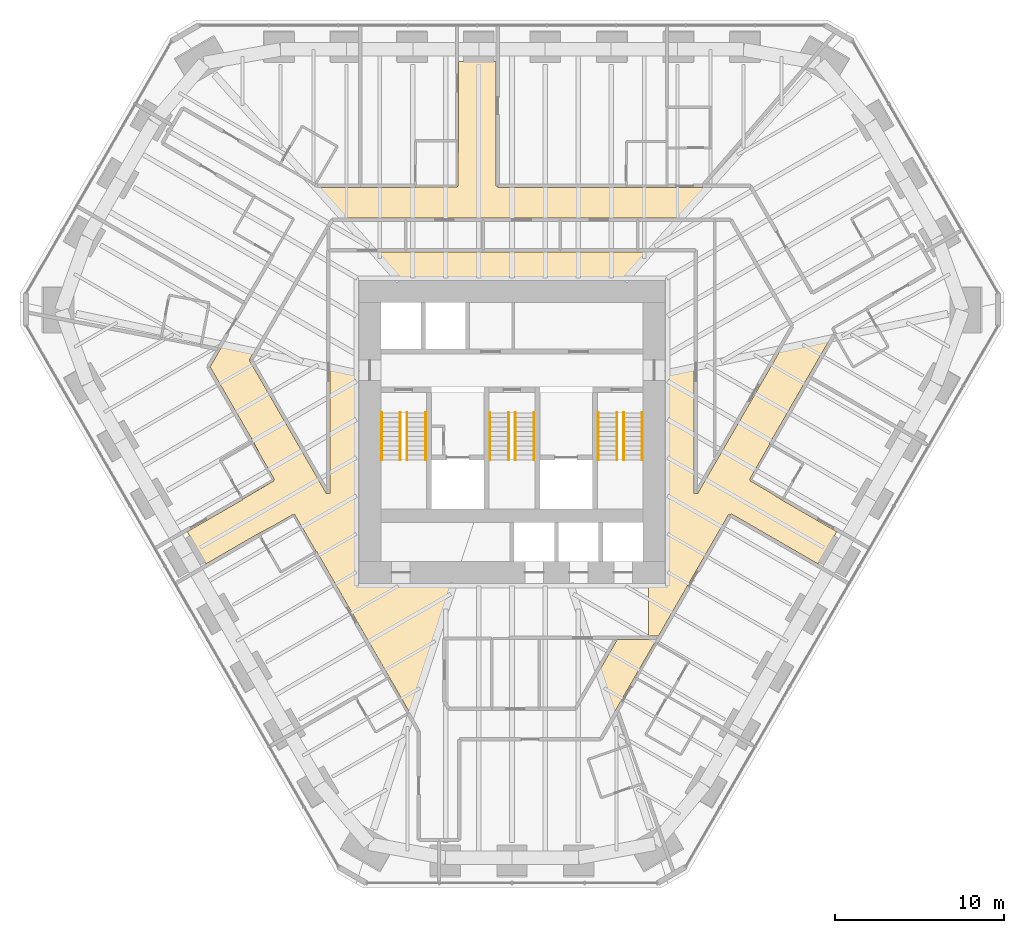
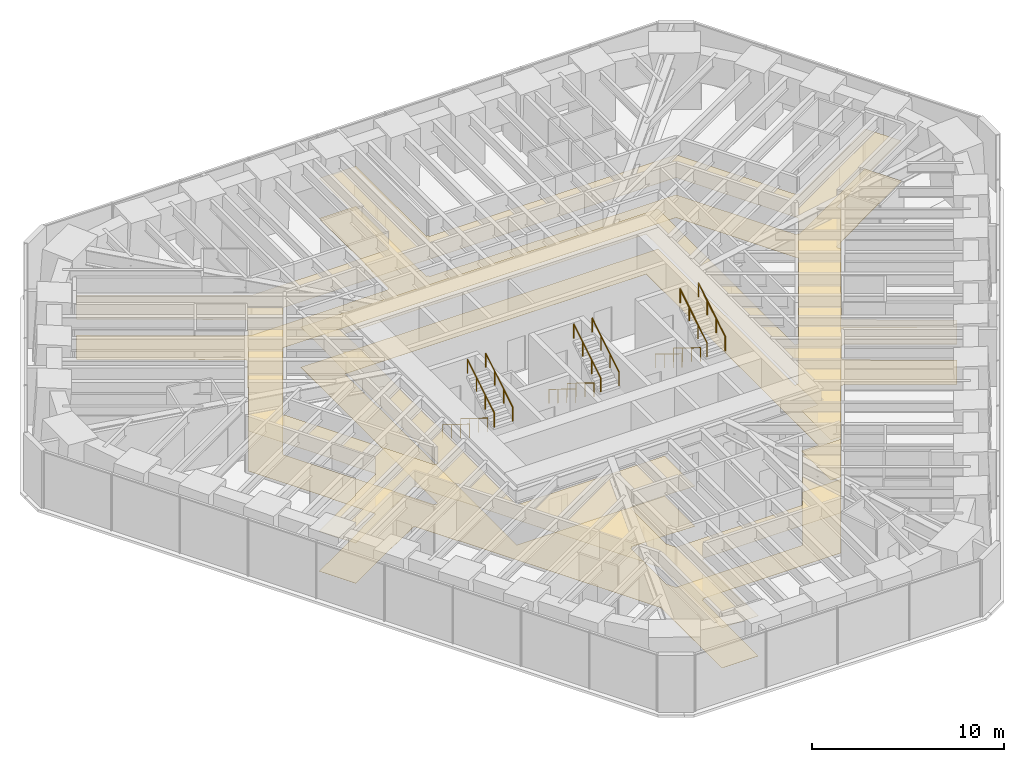
# One storey, part 17 of 17: 12 railings, 2 coverings.
"""IFC4 building model written with IfcOpenShell, lengths in metres."""

from ifc_helpers import new_model, si_unit, direction, frame, origin, origin_2d, place, context, subcontext, project, spatial, polyline, circle, outline, extrude, material, layer, layer_set, type_object, element, save


model = new_model("IFC4")

# Units and contexts
model_context = context("Model", 3, precision=1e-05, world=origin(), true_north=direction((0.0, 1.0)))
body_context = subcontext(model_context, "Body", "Model", "MODEL_VIEW")
ifc_project = project(units=[si_unit("LENGTHUNIT", "METRE"), si_unit("AREAUNIT", "SQUARE_METRE"), si_unit("VOLUMEUNIT", "CUBIC_METRE"), si_unit("PLANEANGLEUNIT", "RADIAN"), si_unit("MASSUNIT", "GRAM", prefix="KILO")], contexts=[model_context])

# Site, building, storey
site_placement = place(None, origin())
site = spatial("IfcSite", under=ifc_project, at=site_placement, CompositionType="ELEMENT")
building_placement = place(site_placement, origin())
building = spatial("IfcBuilding", under=site, at=building_placement, Name="Sandreach Pilgrim Tower", CompositionType="ELEMENT")
storey_placement = place(building_placement, frame((0.0, 0.0, 150.0)))
storey = spatial("IfcBuildingStorey", under=building, at=storey_placement, Name="L37", CompositionType="ELEMENT", Elevation=150.0)

# Coverings
ifc_material_1 = material(Name="Nylon carpet tile on the slab", Category="textile")
ifc_layer_1 = layer(ifc_material_1, 0.008056640625)
ifc_layer_set_1 = layer_set([ifc_layer_1], Name="Carpet tile")
covering_type_1 = type_object("IfcCoveringType", Name="Carpet tile", PredefinedType="FLOORING", material=ifc_layer_set_1)
covering_1_placement = place(storey_placement, origin())
element("IfcCovering", 1, at=covering_1_placement, inside=storey, type_object=covering_type_1, Name="Floor finish 37C Corridor 37", PredefinedType="FLOORING", context=body_context, shape_type="SweptSolid", body=[
    extrude(outline(polyline([(-18.0859375, -9.341796875), (-19.1865234375, -7.435791015625), (-15.898681640625, -5.538818359375), (-15.154296875, -5.063232421875), (-14.06005859375, -4.431884765625), (-14.088623046875, -4.38232421875), (-14.0380859375, -4.35009765625), (-15.326416015625, -2.09326171875), (-15.303466796875, -2.080078125), (-17.83447265625, 2.300048828125), (-14.04345703125, 8.85986328125), (-14.070068359375, 8.875244140625), (-12.84814453125, 11.010009765625), (-12.89892578125, 11.041748046875), (-12.8701171875, 11.092041015625), (-14.2431640625, 11.879150390625), (-15.169921875, 12.45654296875), (-20.5234375, 15.556396484375), (-19.42333984375, 17.46337890625), (-11.516845703125, 12.889892578125), (-5.699951171875, 12.889892578125), (-5.699951171875, 12.918212890625), (-3.25, 12.929931640625), (-3.247802734375, 12.989990234375), (-3.18994140625, 12.989990234375), (-3.18994140625, 14.568115234375), (-3.14990234375, 15.659912109375), (-3.14990234375, 20.333740234375), (-0.949951171875, 20.333740234375), (-0.949951171875, 12.989990234375), (-0.8349609375, 12.989990234375), (-0.8349609375, 12.889892578125), (14.022216796875, 12.889892578125), (17.6533203125, 6.60986328125), (17.75048828125, 6.662109375), (17.798583984375, 6.578369140625), (23.7333984375, 10.003173828125), (24.83349609375, 8.0966796875), (20.889892578125, 5.816650390625), (20.9013671875, 5.796630859375), (18.91015625, 4.632080078125), (18.9296875, 4.573974609375), (18.887939453125, 4.55029296875), (19.0087890625, 4.3388671875), (15.203369140625, -2.25), (15.23046875, -2.265625), (14.0380859375, -4.35009765625), (14.088623046875, -4.38232421875), (14.06005859375, -4.431884765625), (15.19091796875, -5.085693359375), (15.9599609375, -5.57666015625), (19.18603515625, -7.436279296875), (18.085693359375, -9.342041015625), (12.94873046875, -6.37841796875), (12.900146484375, -6.46240234375), (12.803466796875, -6.409912109375), (8.6513671875, -13.60009765625), (8.050048828125, -13.60009765625), (8.050048828125, -10.52001953125), (9.070068359375, -10.52001953125), (9.070068359375, 7.419921875), (-9.070068359375, 7.419921875), (-9.070068359375, -10.52001953125), (-0.175048828125, -10.52001953125), (-0.175048828125, -13.68994140625), (-1.199951171875, -13.67919921875), (-1.199951171875, -13.64990234375), (-3.989990234375, -13.64990234375), (-3.989990234375, -13.75), (-4.10009765625, -13.75), (-4.10009765625, -17.487060546875), (-3.8076171875, -17.989990234375), (3.8076171875, -17.989990234375), (6.2265625, -13.800048828125), (8.535888671875, -13.800048828125), (5.192138671875, -19.590087890625), (-3.110107421875, -19.590087890625), (-3.110107421875, -19.705078125), (-3.2099609375, -19.705078125), (-3.2099609375, -25.550048828125), (-5.409912109375, -25.550048828125), (-5.409912109375, -19.223388671875), (-11.54345703125, -8.599853515625), (-11.5693359375, -8.614990234375), (-12.837890625, -6.43017578125), (-12.891357421875, -6.4580078125), (-12.919921875, -6.407958984375), (-14.11767578125, -7.09814453125), (-14.969970703125, -7.54345703125), (-18.0859375, -9.341796875)]), holes=[polyline([(-15.525390625, 2.699951171875), (-10.965576171875, -5.18994140625), (-10.75, -5.18994140625), (-10.75, 9.10009765625), (10.75, 9.10009765625), (10.75, -5.18994140625), (10.96533203125, -5.18994140625), (16.675537109375, 4.699951171875), (12.98779296875, 11.090087890625), (-10.677734375, 11.090087890625), (-15.525390625, 2.699951171875)])]), origin(), (0.0, 0.0, 1.0), 0.008056640625),
])
ifc_material_2 = material(Name="Gypsum board suspended ceiling on a steel grid", Category="steel")
ifc_layer_2 = layer(ifc_material_2, 0.012939453125)
ifc_layer_set_2 = layer_set([ifc_layer_2], Name="Gypsum board suspended ceiling")
covering_type_2 = type_object("IfcCoveringType", Name="Gypsum board suspended ceiling", PredefinedType="CEILING", material=ifc_layer_set_2)
covering_2_placement = place(storey_placement, frame((0.0, 0.0, 2.550048828125)))
element("IfcCovering", 2, at=covering_2_placement, inside=storey, type_object=covering_type_2, Name="Ceiling 37C Corridor 37", PredefinedType="CEILING", context=body_context, shape_type="SweptSolid", body=[
    extrude(outline(polyline([(-14.06005859375, -4.431884765625), (-14.088134765625, -4.37890625), (-14.0380859375, -4.35009765625), (-14.80615234375, -3.0205078125), (-15.303466796875, -2.080078125), (-17.83447265625, 2.300048828125), (-14.04345703125, 8.85986328125), (-14.070068359375, 8.875244140625), (-12.84814453125, 11.010009765625), (-12.89892578125, 11.041748046875), (-12.8701171875, 11.092041015625), (-14.2431640625, 11.879150390625), (-15.169921875, 12.45654296875), (-20.5234375, 15.556396484375), (-19.42333984375, 17.46337890625), (-11.516845703125, 12.889892578125), (-5.699951171875, 12.889892578125), (-5.699951171875, 12.918212890625), (-3.25, 12.929931640625), (-3.247802734375, 12.989990234375), (-3.18994140625, 12.989990234375), (-3.18994140625, 14.568115234375), (-3.14990234375, 15.659912109375), (-3.14990234375, 20.333740234375), (-0.949951171875, 20.333740234375), (-0.949951171875, 12.989990234375), (-0.8349609375, 12.989990234375), (-0.8349609375, 12.889892578125), (14.022216796875, 12.889892578125), (17.6533203125, 6.60986328125), (17.75048828125, 6.662109375), (17.798583984375, 6.578369140625), (23.7333984375, 10.003173828125), (24.83349609375, 8.0966796875), (20.889892578125, 5.816650390625), (20.9013671875, 5.796630859375), (18.91015625, 4.632080078125), (18.9296875, 4.573974609375), (18.887939453125, 4.55029296875), (19.0087890625, 4.3388671875), (15.203369140625, -2.25), (15.23046875, -2.265625), (14.0380859375, -4.35009765625), (14.088623046875, -4.38232421875), (14.06005859375, -4.431884765625), (15.19091796875, -5.085693359375), (15.9599609375, -5.57666015625), (19.18603515625, -7.436279296875), (18.085693359375, -9.342041015625), (12.94873046875, -6.37841796875), (12.900146484375, -6.46240234375), (12.803466796875, -6.409912109375), (8.6513671875, -13.60009765625), (8.050048828125, -13.60009765625), (8.050048828125, -10.52001953125), (9.070068359375, -10.52001953125), (9.070068359375, 7.419921875), (-9.070068359375, 7.419921875), (-9.070068359375, -10.52001953125), (-0.175048828125, -10.52001953125), (-0.175048828125, -13.68994140625), (-1.199951171875, -13.67919921875), (-1.199951171875, -13.64990234375), (-3.989990234375, -13.64990234375), (-3.989990234375, -13.75), (-4.10009765625, -13.75), (-4.10009765625, -17.487060546875), (-3.8076171875, -17.989990234375), (3.8076171875, -17.989990234375), (6.2265625, -13.800048828125), (8.535888671875, -13.800048828125), (5.192138671875, -19.590087890625), (-3.110107421875, -19.590087890625), (-3.110107421875, -19.705078125), (-3.2099609375, -19.705078125), (-3.2099609375, -25.550048828125), (-5.409912109375, -25.550048828125), (-5.409912109375, -19.223388671875), (-11.54345703125, -8.599853515625), (-11.5693359375, -8.614990234375), (-12.837890625, -6.43017578125), (-12.891357421875, -6.4580078125), (-12.919921875, -6.407958984375), (-14.11767578125, -7.09814453125), (-14.969970703125, -7.54345703125), (-18.0859375, -9.341796875), (-19.1865234375, -7.435791015625), (-15.898681640625, -5.538818359375), (-15.911376953125, -5.516845703125), (-14.06005859375, -4.431884765625)]), holes=[polyline([(-15.525390625, 2.699951171875), (-10.965576171875, -5.18994140625), (-10.75, -5.18994140625), (-10.75, 9.10009765625), (10.75, 9.10009765625), (10.75, -5.18994140625), (10.96533203125, -5.18994140625), (16.675537109375, 4.699951171875), (12.98779296875, 11.090087890625), (-10.677734375, 11.090087890625), (-15.525390625, 2.699951171875)])]), origin(), (0.0, 0.0, 1.0), 0.012939453125),
])

# Railings
ifc_material_3 = material(Name="Stainless steel tube", Category="steel")
railing_type = type_object("IfcRailingType", Name="Stair handrail", PredefinedType="HANDRAIL", material=ifc_material_3)
for number, where, name in (
    (3, (-6.60009765625, -0.39990234375, 0.172607421875), "Handrail ST1 L37 flight 1"),
    (4, (-7.699951171875, -0.39990234375, 0.172607421875), "Handrail ST1 L37 flight 1"),
):
    element("IfcRailing", number, at=place(storey_placement, frame(where)), inside=storey, type_object=railing_type, Name=name, PredefinedType="HANDRAIL", context=body_context, shape_type="SweptSolid", body=[
        extrude(circle(Radius=0.02392578125, at=origin_2d()), frame((0.0, 0.0, 0.8759765625), z_axis=(0.0, -0.851089632645, 0.525020415988), x_axis=(1.0, 0.0, 0.0)), (0.0, 0.0, 1.0), 3.2900390625),
        extrude(circle(Radius=0.02099609375, at=origin_2d()), origin(), (0.0, 0.0, 1.0), 0.851806640625),
        extrude(circle(Radius=0.02099609375, at=origin_2d()), frame((0.0, -0.933349609375, 0.57568359375)), (0.0, 0.0, 1.0), 0.851806640625),
        extrude(circle(Radius=0.02099609375, at=origin_2d()), frame((0.0, -1.86669921875, 1.151611328125)), (0.0, 0.0, 1.0), 0.851806640625),
        extrude(circle(Radius=0.02099609375, at=origin_2d()), frame((0.0, -2.800048828125, 1.727294921875)), (0.0, 0.0, 1.0), 0.851806640625),
    ])
for number, where, name in (
    (5, (-6.199951171875, -3.199951171875, 2.07275390625), "Handrail ST1 L37 flight 2"),
    (6, (-5.10009765625, -3.199951171875, 2.07275390625), "Handrail ST1 L37 flight 2"),
):
    element("IfcRailing", number, at=place(storey_placement, frame(where)), inside=storey, type_object=railing_type, Name=name, PredefinedType="HANDRAIL", context=body_context, shape_type="SweptSolid", body=[
        extrude(circle(Radius=0.02392578125, at=origin_2d()), frame((0.0, 0.0, 0.8759765625), z_axis=(0.0, 0.851089632645, 0.525020415988), x_axis=(-1.0, 0.0, 0.0)), (0.0, 0.0, 1.0), 3.2900390625),
        extrude(circle(Radius=0.02099609375, at=origin_2d()), origin(), (0.0, 0.0, 1.0), 0.851806640625),
        extrude(circle(Radius=0.02099609375, at=origin_2d()), frame((0.0, 0.933349609375, 0.57568359375)), (0.0, 0.0, 1.0), 0.851806640625),
        extrude(circle(Radius=0.02099609375, at=origin_2d()), frame((0.0, 1.86669921875, 1.151611328125)), (0.0, 0.0, 1.0), 0.851806640625),
        extrude(circle(Radius=0.02099609375, at=origin_2d()), frame((0.0, 2.800048828125, 1.727294921875)), (0.0, 0.0, 1.0), 0.851806640625),
    ])
for number, where, name in (
    (7, (-0.199951171875, -0.39990234375, 0.172607421875), "Handrail ST3 L37 flight 1"),
    (8, (-1.300048828125, -0.39990234375, 0.172607421875), "Handrail ST3 L37 flight 1"),
):
    element("IfcRailing", number, at=place(storey_placement, frame(where)), inside=storey, type_object=railing_type, Name=name, PredefinedType="HANDRAIL", context=body_context, shape_type="SweptSolid", body=[
        extrude(circle(Radius=0.02392578125, at=origin_2d()), frame((0.0, 0.0, 0.8759765625), z_axis=(0.0, -0.851089632645, 0.525020415988), x_axis=(1.0, 0.0, 0.0)), (0.0, 0.0, 1.0), 3.2900390625),
        extrude(circle(Radius=0.02099609375, at=origin_2d()), origin(), (0.0, 0.0, 1.0), 0.851806640625),
        extrude(circle(Radius=0.02099609375, at=origin_2d()), frame((0.0, -0.933349609375, 0.57568359375)), (0.0, 0.0, 1.0), 0.851806640625),
        extrude(circle(Radius=0.02099609375, at=origin_2d()), frame((0.0, -1.86669921875, 1.151611328125)), (0.0, 0.0, 1.0), 0.851806640625),
        extrude(circle(Radius=0.02099609375, at=origin_2d()), frame((0.0, -2.800048828125, 1.727294921875)), (0.0, 0.0, 1.0), 0.851806640625),
    ])
for number, where, name in (
    (9, (0.199951171875, -3.199951171875, 2.07275390625), "Handrail ST3 L37 flight 2"),
    (10, (1.300048828125, -3.199951171875, 2.07275390625), "Handrail ST3 L37 flight 2"),
):
    element("IfcRailing", number, at=place(storey_placement, frame(where)), inside=storey, type_object=railing_type, Name=name, PredefinedType="HANDRAIL", context=body_context, shape_type="SweptSolid", body=[
        extrude(circle(Radius=0.02392578125, at=origin_2d()), frame((0.0, 0.0, 0.8759765625), z_axis=(0.0, 0.851089632645, 0.525020415988), x_axis=(-1.0, 0.0, 0.0)), (0.0, 0.0, 1.0), 3.2900390625),
        extrude(circle(Radius=0.02099609375, at=origin_2d()), origin(), (0.0, 0.0, 1.0), 0.851806640625),
        extrude(circle(Radius=0.02099609375, at=origin_2d()), frame((0.0, 0.933349609375, 0.57568359375)), (0.0, 0.0, 1.0), 0.851806640625),
        extrude(circle(Radius=0.02099609375, at=origin_2d()), frame((0.0, 1.86669921875, 1.151611328125)), (0.0, 0.0, 1.0), 0.851806640625),
        extrude(circle(Radius=0.02099609375, at=origin_2d()), frame((0.0, 2.800048828125, 1.727294921875)), (0.0, 0.0, 1.0), 0.851806640625),
    ])
for number, where, name in (
    (11, (6.199951171875, -0.39990234375, 0.172607421875), "Handrail ST2 L37 flight 1"),
    (12, (5.10009765625, -0.39990234375, 0.172607421875), "Handrail ST2 L37 flight 1"),
):
    element("IfcRailing", number, at=place(storey_placement, frame(where)), inside=storey, type_object=railing_type, Name=name, PredefinedType="HANDRAIL", context=body_context, shape_type="SweptSolid", body=[
        extrude(circle(Radius=0.02392578125, at=origin_2d()), frame((0.0, 0.0, 0.8759765625), z_axis=(0.0, -0.851089632645, 0.525020415988), x_axis=(1.0, 0.0, 0.0)), (0.0, 0.0, 1.0), 3.2900390625),
        extrude(circle(Radius=0.02099609375, at=origin_2d()), origin(), (0.0, 0.0, 1.0), 0.851806640625),
        extrude(circle(Radius=0.02099609375, at=origin_2d()), frame((0.0, -0.933349609375, 0.57568359375)), (0.0, 0.0, 1.0), 0.851806640625),
        extrude(circle(Radius=0.02099609375, at=origin_2d()), frame((0.0, -1.86669921875, 1.151611328125)), (0.0, 0.0, 1.0), 0.851806640625),
        extrude(circle(Radius=0.02099609375, at=origin_2d()), frame((0.0, -2.800048828125, 1.727294921875)), (0.0, 0.0, 1.0), 0.851806640625),
    ])
for number, where, name in (
    (13, (6.60009765625, -3.199951171875, 2.07275390625), "Handrail ST2 L37 flight 2"),
    (14, (7.699951171875, -3.199951171875, 2.07275390625), "Handrail ST2 L37 flight 2"),
):
    element("IfcRailing", number, at=place(storey_placement, frame(where)), inside=storey, type_object=railing_type, Name=name, PredefinedType="HANDRAIL", context=body_context, shape_type="SweptSolid", body=[
        extrude(circle(Radius=0.02392578125, at=origin_2d()), frame((0.0, 0.0, 0.8759765625), z_axis=(0.0, 0.851089632645, 0.525020415988), x_axis=(-1.0, 0.0, 0.0)), (0.0, 0.0, 1.0), 3.2900390625),
        extrude(circle(Radius=0.02099609375, at=origin_2d()), origin(), (0.0, 0.0, 1.0), 0.851806640625),
        extrude(circle(Radius=0.02099609375, at=origin_2d()), frame((0.0, 0.933349609375, 0.57568359375)), (0.0, 0.0, 1.0), 0.851806640625),
        extrude(circle(Radius=0.02099609375, at=origin_2d()), frame((0.0, 1.86669921875, 1.151611328125)), (0.0, 0.0, 1.0), 0.851806640625),
        extrude(circle(Radius=0.02099609375, at=origin_2d()), frame((0.0, 2.800048828125, 1.727294921875)), (0.0, 0.0, 1.0), 0.851806640625),
    ])

save(model, "model.ifc")
